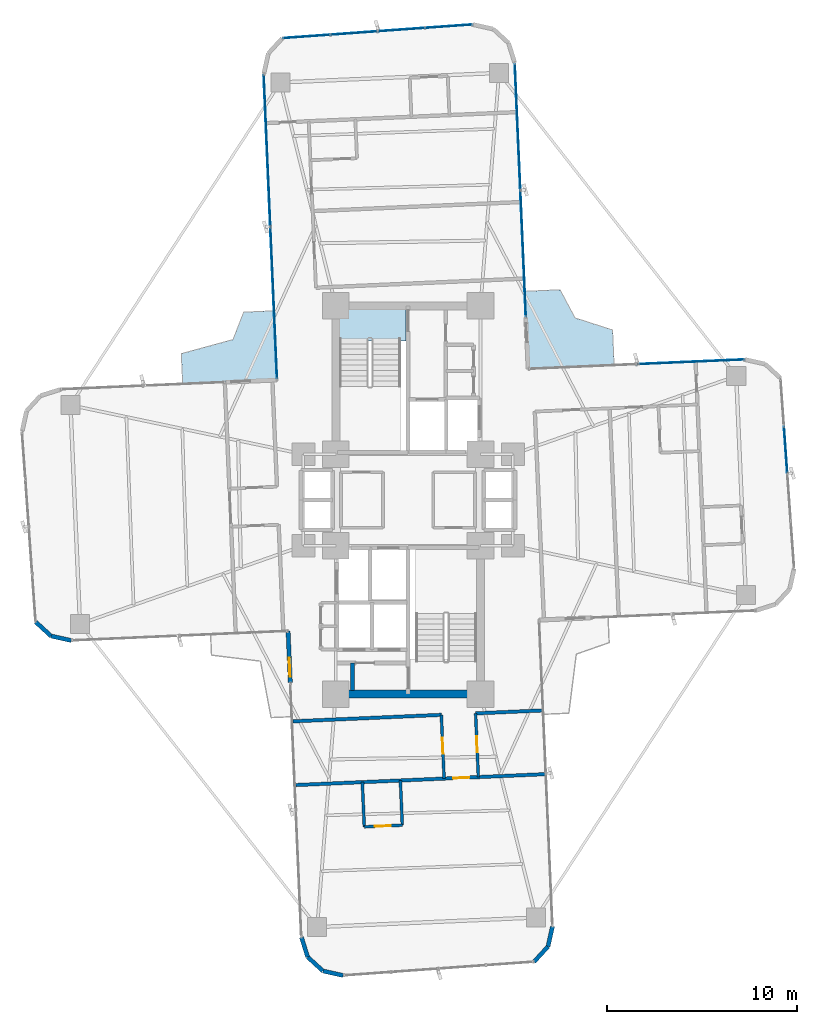
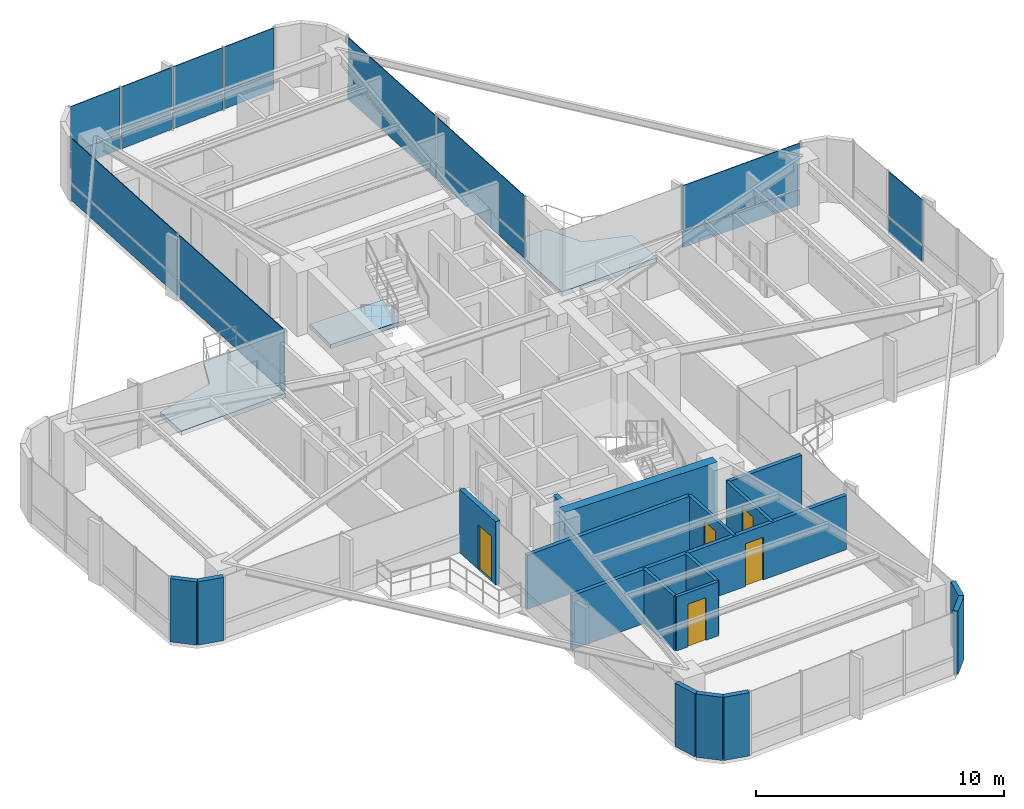
# One storey, part 22 of 26: 20 plates, 18 walls, 5 doors, 3 slabs, 5 openings, 5 elements without a shape of their own.
"""IFC4 building model written with IfcOpenShell, lengths in metres."""

from ifc_helpers import new_model, si_unit, direction, frame, frame_2d, origin, origin_2d, place, context, subcontext, project, spatial, polyline, rectangle, outline, extrude, source, transform, mapped, material, layer, layer_set, type_object, element, fill, aggregate, save


model = new_model("IFC4")

# Units and contexts
model_context = context("Model", 3, precision=1e-05, world=origin(), true_north=direction((0.0, 1.0)))
body_context = subcontext(model_context, "Body", "Model", "MODEL_VIEW")
ifc_project = project(units=[si_unit("LENGTHUNIT", "METRE"), si_unit("AREAUNIT", "SQUARE_METRE"), si_unit("VOLUMEUNIT", "CUBIC_METRE"), si_unit("PLANEANGLEUNIT", "RADIAN"), si_unit("MASSUNIT", "GRAM", prefix="KILO")], contexts=[model_context])

# Site, building, storey
site_placement = place(None, origin())
site = spatial("IfcSite", under=ifc_project, at=site_placement, CompositionType="ELEMENT")
building_placement = place(site_placement, origin())
building = spatial("IfcBuilding", under=site, at=building_placement, Name="Sahyath Konkavel Grand Hotel", CompositionType="ELEMENT")
storey_placement = place(building_placement, frame((0.0, 0.0, 93.550048828125)))
storey = spatial("IfcBuildingStorey", under=building, at=storey_placement, Name="L25", CompositionType="ELEMENT", Elevation=93.550048828125)

# Slabs
ifc_material_1 = material(Name="Concrete C40/50", Category="concrete")
ifc_layer_1 = layer(ifc_material_1, 0.219970703125)
ifc_layer_set_1 = layer_set([ifc_layer_1], Name="Concrete C40/50")
slab_type_1 = type_object("IfcSlabType", Name="SLB-BALCONY-220", PredefinedType="FLOOR", material=ifc_layer_set_1)
slab_1_placement = place(storey_placement, frame((0.0, 0.0, -0.219970703125)))
element("IfcSlab", 1, at=slab_1_placement, inside=storey, type_object=slab_type_1, Name="L25 Winter-Garden Balcony NE", PredefinedType="FLOOR", context=body_context, shape_type="SweptSolid", body=[
    extrude(outline(polyline([(6.305908203125, 6.881591796875), (10.8173828125, 7.07861328125), (10.73681640625, 8.929443359375), (8.76416015625, 9.564453125), (7.978515625, 11.04248046875), (6.127685546875, 10.961669921875), (6.305908203125, 6.881591796875)])), origin(), (0.0, 0.0, 1.0), 0.219970703125),
])
slab_2_placement = place(storey_placement, frame((0.0, 0.0, -0.219970703125)))
element("IfcSlab", 2, at=slab_2_placement, inside=storey, type_object=slab_type_1, Name="L25 Winter-Garden Balcony NW", PredefinedType="FLOOR", context=body_context, shape_type="SweptSolid", body=[
    extrude(outline(polyline([(-6.881591796875, 6.305908203125), (-7.0400390625, 9.936279296875), (-8.636962890625, 9.86669921875), (-9.1962890625, 8.427001953125), (-11.91259765625, 7.68603515625), (-11.843017578125, 6.089111328125), (-6.881591796875, 6.305908203125)])), origin(), (0.0, 0.0, 1.0), 0.219970703125),
])
ifc_layer_2 = layer(ifc_material_1, 0.199951171875)
ifc_layer_set_2 = layer_set([ifc_layer_2], Name="Concrete C40/50")
slab_type_2 = type_object("IfcSlabType", Name="SLB-STAIR-LND", PredefinedType="LANDING", material=ifc_layer_set_2)
slab_3_placement = place(storey_placement, frame((0.0, 0.0, -0.199951171875)))
element("IfcSlab", 3, at=slab_3_placement, inside=storey, type_object=slab_type_2, Name="L25 Stair ST-1 Floor Landing Slab", PredefinedType="LANDING", context=body_context, shape_type="SweptSolid", body=[
    extrude(outline(polyline([(-3.6201171875, 8.35009765625), (-0.10009765625, 8.35009765625), (-0.10009765625, 10.02001953125), (-3.6201171875, 10.02001953125), (-3.6201171875, 8.35009765625)])), origin(), (0.0, 0.0, 1.0), 0.199951171875),
])

# Curtain wall, plate
ifc_material_2 = material(Name="Anodised Bronze Aluminium & Low-E Glazing", Category="aluminium")
curtain_wall_type = type_object("IfcCurtainWallType", Name="CW-ZONE2", PredefinedType="NOTDEFINED", material=ifc_material_2)
curtain_wall_1_placement = place(storey_placement, origin())
curtain_wall_1 = element("IfcCurtainWall", 4, at=curtain_wall_1_placement, inside=storey, type_object=curtain_wall_type, Name="L25 Unitised Curtain Wall F4", PredefinedType="NOTDEFINED")
ifc_material_3 = material(Name="Warm Buff Sandstone Cladding", Category="masonry")
ifc_layer_3 = layer(ifc_material_3, 0.074951171875)
ifc_layer_set_3 = layer_set([ifc_layer_3], Name="Warm Buff Sandstone Cladding")
plate_type_1 = type_object("IfcPlateType", Name="PNL-SPANDREL-STONE", PredefinedType="SHEET", material=ifc_layer_set_3)
shared_shape_1 = source(origin(), body_context, "Body", "SweptSolid", [
    extrude(rectangle(XDim=2.41357421875, YDim=0.074951171875, at=origin_2d()), origin(), (0.0, 0.0, 1.0), 0.77001953125),
])
plate_1_placement = place(storey_placement, frame((19.828369140625, 2.638671875, 0.0400390625), z_axis=(0.0, 0.0, 1.0), x_axis=(-0.071567078661, 0.997435789037, 0.0)))
plate_1 = element("IfcPlate", 5, at=plate_1_placement, type_object=plate_type_1, Name="L25 Sandstone Relief Spandrel Panel F4-2", PredefinedType="SHEET", context=body_context, shape_type="MappedRepresentation", body=[
    mapped(shared_shape_1, transform((0.0, 0.0, 0.0), scale=1.0)),
])

# Curtain wall, plates
curtain_wall_2_placement = place(storey_placement, origin())
curtain_wall_2 = element("IfcCurtainWall", 6, at=curtain_wall_2_placement, inside=storey, type_object=curtain_wall_type, Name="L25 Unitised Curtain Wall F12", PredefinedType="NOTDEFINED")
plate_2_placement = place(storey_placement, frame((2.130615234375, 24.880615234375, 0.0400390625), z_axis=(0.0, 0.0, 1.0), x_axis=(-0.997435789037, -0.071567078661, 0.0)))
plate_2 = element("IfcPlate", 7, at=plate_2_placement, type_object=plate_type_1, Name="L25 Sandstone Relief Spandrel Panel F12-0", PredefinedType="SHEET", context=body_context, shape_type="MappedRepresentation", body=[
    mapped(shared_shape_1, transform((0.0, 0.0, 0.0), scale=1.0)),
])
plate_3_placement = place(storey_placement, frame((-0.356689453125, 24.7021484375, 0.0400390625), z_axis=(0.0, 0.0, 1.0), x_axis=(-0.997435789037, -0.071567078661, 0.0)))
plate_3 = element("IfcPlate", 8, at=plate_3_placement, type_object=plate_type_1, Name="L25 Sandstone Relief Spandrel Panel F12-1", PredefinedType="SHEET", context=body_context, shape_type="MappedRepresentation", body=[
    mapped(shared_shape_1, transform((0.0, 0.0, 0.0), scale=1.0)),
])
plate_4_placement = place(storey_placement, frame((-2.84375, 24.523681640625, 0.0400390625), z_axis=(0.0, 0.0, 1.0), x_axis=(-0.997435789037, -0.071567078661, 0.0)))
plate_4 = element("IfcPlate", 9, at=plate_4_placement, type_object=plate_type_1, Name="L25 Sandstone Relief Spandrel Panel F12-2", PredefinedType="SHEET", context=body_context, shape_type="MappedRepresentation", body=[
    mapped(shared_shape_1, transform((0.0, 0.0, 0.0), scale=1.0)),
])
plate_5_placement = place(storey_placement, frame((-5.330810546875, 24.34521484375, 0.0400390625), z_axis=(0.0, 0.0, 1.0), x_axis=(-0.997435789037, -0.071567078661, 0.0)))
plate_5 = element("IfcPlate", 10, at=plate_5_placement, type_object=plate_type_1, Name="L25 Sandstone Relief Spandrel Panel F12-3", PredefinedType="SHEET", context=body_context, shape_type="MappedRepresentation", body=[
    mapped(shared_shape_1, transform((0.0, 0.0, 0.0), scale=1.0)),
])

# Curtain wall, plate
curtain_wall_3_placement = place(storey_placement, origin())
curtain_wall_3 = element("IfcCurtainWall", 11, at=curtain_wall_3_placement, inside=storey, type_object=curtain_wall_type, Name="L25 Unitised Curtain Wall F7", PredefinedType="NOTDEFINED")
shared_shape_2 = source(origin(), body_context, "Body", "SweptSolid", [
    extrude(rectangle(XDim=5.580078125, YDim=0.074951171875, at=origin_2d()), origin(), (0.0, 0.0, 1.0), 0.77001953125),
])
plate_6_placement = place(storey_placement, frame((14.82763671875, 7.25390625, 0.0400390625), z_axis=(0.0, 0.0, 1.0), x_axis=(-0.999048221582, -0.043619387365, 0.0)))
plate_6 = element("IfcPlate", 12, at=plate_6_placement, type_object=plate_type_1, Name="L25 Sandstone Relief Spandrel Panel F7-0", PredefinedType="SHEET", context=body_context, shape_type="MappedRepresentation", body=[
    mapped(shared_shape_2, transform((0.0, 0.0, 0.0), scale=1.0)),
])

# Curtain wall, plates
curtain_wall_4_placement = place(storey_placement, origin())
curtain_wall_4 = element("IfcCurtainWall", 13, at=curtain_wall_4_placement, inside=storey, type_object=curtain_wall_type, Name="L25 Unitised Curtain Wall F8", PredefinedType="NOTDEFINED")
shared_shape_3 = source(origin(), body_context, "Body", "SweptSolid", [
    extrude(rectangle(XDim=6.580078125, YDim=0.074951171875, at=origin_2d()), origin(), (0.0, 0.0, 1.0), 0.77001953125),
])
plate_7_placement = place(storey_placement, frame((6.041015625, 12.94580078125, 0.0400390625), z_axis=(0.0, 0.0, 1.0), x_axis=(-0.043619387365, 0.999048221582, 0.0)))
plate_7 = element("IfcPlate", 14, at=plate_7_placement, type_object=plate_type_1, Name="L25 Sandstone Relief Spandrel Panel F8-0", PredefinedType="SHEET", context=body_context, shape_type="MappedRepresentation", body=[
    mapped(shared_shape_3, transform((0.0, 0.0, 0.0), scale=1.0)),
])
plate_8_placement = place(storey_placement, frame((5.75048828125, 19.599609375, 0.0400390625), z_axis=(0.0, 0.0, 1.0), x_axis=(-0.043619387365, 0.999048221582, 0.0)))
plate_8 = element("IfcPlate", 15, at=plate_8_placement, type_object=plate_type_1, Name="L25 Sandstone Relief Spandrel Panel F8-1", PredefinedType="SHEET", context=body_context, shape_type="MappedRepresentation", body=[
    mapped(shared_shape_3, transform((0.0, 0.0, 0.0), scale=1.0)),
])

curtain_wall_5_placement = place(storey_placement, origin())
curtain_wall_5 = element("IfcCurtainWall", 16, at=curtain_wall_5_placement, inside=storey, type_object=curtain_wall_type, Name="L25 Unitised Curtain Wall F15", PredefinedType="NOTDEFINED")
shared_shape_4 = source(origin(), body_context, "Body", "SweptSolid", [
    extrude(rectangle(XDim=7.929931640625, YDim=0.074951171875, at=origin_2d()), origin(), (0.0, 0.0, 1.0), 0.77001953125),
])
plate_9_placement = place(storey_placement, frame((-7.407470703125, 18.349365234375, 0.0400390625), z_axis=(0.0, 0.0, 1.0), x_axis=(0.043619387365, -0.999048221582, 0.0)))
plate_9 = element("IfcPlate", 17, at=plate_9_placement, type_object=plate_type_1, Name="L25 Sandstone Relief Spandrel Panel F15-0", PredefinedType="SHEET", context=body_context, shape_type="MappedRepresentation", body=[
    mapped(shared_shape_4, transform((0.0, 0.0, 0.0), scale=1.0)),
])
plate_10_placement = place(storey_placement, frame((-7.05810546875, 10.346923828125, 0.0400390625), z_axis=(0.0, 0.0, 1.0), x_axis=(0.043619387365, -0.999048221582, 0.0)))
plate_10 = element("IfcPlate", 18, at=plate_10_placement, type_object=plate_type_1, Name="L25 Sandstone Relief Spandrel Panel F15-1", PredefinedType="SHEET", context=body_context, shape_type="MappedRepresentation", body=[
    mapped(shared_shape_4, transform((0.0, 0.0, 0.0), scale=1.0)),
])

# Plate
ifc_material_4 = material(Name="Low-E Solar Control Double Glazing", Category="glass")
ifc_layer_4 = layer(ifc_material_4, 0.035888671875)
ifc_layer_set_4 = layer_set([ifc_layer_4], Name="Low-E Solar Control Double Glazing")
plate_type_2 = type_object("IfcPlateType", Name="PNL-VISION-LOWE", PredefinedType="CURTAIN_PANEL", material=ifc_layer_set_4)
shared_shape_5 = source(origin(), body_context, "Body", "SweptSolid", [
    extrude(rectangle(XDim=2.41357421875, YDim=0.035888671875, at=origin_2d()), origin(), (0.0, 0.0, 1.0), 2.179931640625),
])
plate_11_placement = place(storey_placement, frame((19.828369140625, 2.638671875, 0.89013671875), z_axis=(0.0, 0.0, 1.0), x_axis=(-0.071567078661, 0.997435789037, 0.0)))
plate_11 = element("IfcPlate", 19, at=plate_11_placement, type_object=plate_type_2, Name="L25 Low-E Vision Glazing Panel F4-2", PredefinedType="CURTAIN_PANEL", context=body_context, shape_type="MappedRepresentation", body=[
    mapped(shared_shape_5, transform((0.0, 0.0, 0.0), scale=1.0)),
])

aggregate(curtain_wall_1, [plate_1, plate_11])

plate_12_placement = place(storey_placement, frame((2.130615234375, 24.880615234375, 0.89013671875), z_axis=(0.0, 0.0, 1.0), x_axis=(-0.997435789037, -0.071567078661, 0.0)))
plate_12 = element("IfcPlate", 20, at=plate_12_placement, type_object=plate_type_2, Name="L25 Low-E Vision Glazing Panel F12-0", PredefinedType="CURTAIN_PANEL", context=body_context, shape_type="MappedRepresentation", body=[
    mapped(shared_shape_5, transform((0.0, 0.0, 0.0), scale=1.0)),
])

plate_13_placement = place(storey_placement, frame((-0.356689453125, 24.7021484375, 0.89013671875), z_axis=(0.0, 0.0, 1.0), x_axis=(-0.997435789037, -0.071567078661, 0.0)))
plate_13 = element("IfcPlate", 21, at=plate_13_placement, type_object=plate_type_2, Name="L25 Low-E Vision Glazing Panel F12-1", PredefinedType="CURTAIN_PANEL", context=body_context, shape_type="MappedRepresentation", body=[
    mapped(shared_shape_5, transform((0.0, 0.0, 0.0), scale=1.0)),
])

plate_14_placement = place(storey_placement, frame((-2.84375, 24.523681640625, 0.89013671875), z_axis=(0.0, 0.0, 1.0), x_axis=(-0.997435789037, -0.071567078661, 0.0)))
plate_14 = element("IfcPlate", 22, at=plate_14_placement, type_object=plate_type_2, Name="L25 Low-E Vision Glazing Panel F12-2", PredefinedType="CURTAIN_PANEL", context=body_context, shape_type="MappedRepresentation", body=[
    mapped(shared_shape_5, transform((0.0, 0.0, 0.0), scale=1.0)),
])

plate_15_placement = place(storey_placement, frame((-5.330810546875, 24.34521484375, 0.89013671875), z_axis=(0.0, 0.0, 1.0), x_axis=(-0.997435789037, -0.071567078661, 0.0)))
plate_15 = element("IfcPlate", 23, at=plate_15_placement, type_object=plate_type_2, Name="L25 Low-E Vision Glazing Panel F12-3", PredefinedType="CURTAIN_PANEL", context=body_context, shape_type="MappedRepresentation", body=[
    mapped(shared_shape_5, transform((0.0, 0.0, 0.0), scale=1.0)),
])

aggregate(curtain_wall_2, [plate_2, plate_12, plate_3, plate_13, plate_4, plate_14, plate_5, plate_15])

shared_shape_6 = source(origin(), body_context, "Body", "SweptSolid", [
    extrude(rectangle(XDim=5.580078125, YDim=0.035888671875, at=origin_2d()), origin(), (0.0, 0.0, 1.0), 2.179931640625),
])
plate_16_placement = place(storey_placement, frame((14.82763671875, 7.25390625, 0.89013671875), z_axis=(0.0, 0.0, 1.0), x_axis=(-0.999048221582, -0.043619387365, 0.0)))
plate_16 = element("IfcPlate", 24, at=plate_16_placement, type_object=plate_type_2, Name="L25 Low-E Vision Glazing Panel F7-0", PredefinedType="CURTAIN_PANEL", context=body_context, shape_type="MappedRepresentation", body=[
    mapped(shared_shape_6, transform((0.0, 0.0, 0.0), scale=1.0)),
])

aggregate(curtain_wall_3, [plate_6, plate_16])

shared_shape_7 = source(origin(), body_context, "Body", "SweptSolid", [
    extrude(rectangle(XDim=6.580078125, YDim=0.035888671875, at=origin_2d()), origin(), (0.0, 0.0, 1.0), 2.179931640625),
])
plate_17_placement = place(storey_placement, frame((6.041015625, 12.94580078125, 0.89013671875), z_axis=(0.0, 0.0, 1.0), x_axis=(-0.043619387365, 0.999048221582, 0.0)))
plate_17 = element("IfcPlate", 25, at=plate_17_placement, type_object=plate_type_2, Name="L25 Low-E Vision Glazing Panel F8-0", PredefinedType="CURTAIN_PANEL", context=body_context, shape_type="MappedRepresentation", body=[
    mapped(shared_shape_7, transform((0.0, 0.0, 0.0), scale=1.0)),
])

plate_18_placement = place(storey_placement, frame((5.75048828125, 19.599609375, 0.89013671875), z_axis=(0.0, 0.0, 1.0), x_axis=(-0.043619387365, 0.999048221582, 0.0)))
plate_18 = element("IfcPlate", 26, at=plate_18_placement, type_object=plate_type_2, Name="L25 Low-E Vision Glazing Panel F8-1", PredefinedType="CURTAIN_PANEL", context=body_context, shape_type="MappedRepresentation", body=[
    mapped(shared_shape_7, transform((0.0, 0.0, 0.0), scale=1.0)),
])

aggregate(curtain_wall_4, [plate_7, plate_17, plate_8, plate_18])

shared_shape_8 = source(origin(), body_context, "Body", "SweptSolid", [
    extrude(rectangle(XDim=7.929931640625, YDim=0.035888671875, at=origin_2d()), origin(), (0.0, 0.0, 1.0), 2.179931640625),
])
plate_19_placement = place(storey_placement, frame((-7.407470703125, 18.349365234375, 0.89013671875), z_axis=(0.0, 0.0, 1.0), x_axis=(0.043619387365, -0.999048221582, 0.0)))
plate_19 = element("IfcPlate", 27, at=plate_19_placement, type_object=plate_type_2, Name="L25 Low-E Vision Glazing Panel F15-0", PredefinedType="CURTAIN_PANEL", context=body_context, shape_type="MappedRepresentation", body=[
    mapped(shared_shape_8, transform((0.0, 0.0, 0.0), scale=1.0)),
])

plate_20_placement = place(storey_placement, frame((-7.05810546875, 10.346923828125, 0.89013671875), z_axis=(0.0, 0.0, 1.0), x_axis=(0.043619387365, -0.999048221582, 0.0)))
plate_20 = element("IfcPlate", 28, at=plate_20_placement, type_object=plate_type_2, Name="L25 Low-E Vision Glazing Panel F15-1", PredefinedType="CURTAIN_PANEL", context=body_context, shape_type="MappedRepresentation", body=[
    mapped(shared_shape_8, transform((0.0, 0.0, 0.0), scale=1.0)),
])

aggregate(curtain_wall_5, [plate_9, plate_19, plate_10, plate_20])

# Walls
ifc_material_5 = material(Name="Concrete C50/60", Category="concrete")
ifc_layer_5 = layer(ifc_material_5, 0.419921875)
ifc_layer_set_5 = layer_set([ifc_layer_5], Name="Concrete C50/60")
wall_type_1 = type_object("IfcWallType", Name="CWALL-420", PredefinedType="SHEAR", material=ifc_layer_set_5)
wall_1_placement = place(storey_placement, frame((-3.550048828125, -10.199951171875, 0.0), z_axis=(0.0, 0.0, 1.0), x_axis=(1.0, 0.0, 0.0)))
element("IfcWall", 29, at=wall_1_placement, inside=storey, type_object=wall_type_1, Name="L25 South Core Shear Wall S", PredefinedType="SHEAR", context=body_context, shape_type="SweptSolid", body=[
    extrude(rectangle(XDim=7.10009765625, YDim=0.419921875, at=frame_2d((3.550048828125, 0.0))), origin(), (0.0, 0.0, 1.0), 3.10986328125),
])
ifc_material_6 = material(Name="Warm Buff Sandstone Insulated Concrete C40/50", Category="masonry")
ifc_layer_6 = layer(ifc_material_6, 0.219970703125)
ifc_layer_set_6 = layer_set([ifc_layer_6], Name="Warm Buff Sandstone Insulated Concrete C40/50")
wall_type_2 = type_object("IfcWallType", Name="WLL-BALC-THRESH", PredefinedType="STANDARD", material=ifc_layer_set_6)
wall_2_placement = place(storey_placement, frame((-19.5576171875, -6.4091796875, 0.0), z_axis=(0.0, 0.0, 1.0), x_axis=(0.737210081318, -0.675663596772, 0.0)))
element("IfcWall", 30, at=wall_2_placement, inside=storey, type_object=wall_type_2, Name="L25 Rounded Corner Sandstone Pier 21", PredefinedType="STANDARD", context=body_context, shape_type="SweptSolid", body=[
    extrude(rectangle(XDim=1.0869140625, YDim=0.219970703125, at=frame_2d((0.54345703125, 0.0))), origin(), (0.0, 0.0, 1.0), 3.10986328125),
])
wall_3_placement = place(storey_placement, frame((-18.75634765625, -7.1435546875, 0.0), z_axis=(0.0, 0.0, 1.0), x_axis=(0.976282085775, -0.216502399514, 0.0)))
element("IfcWall", 31, at=wall_3_placement, inside=storey, type_object=wall_type_2, Name="L25 Rounded Corner Sandstone Pier 22", PredefinedType="STANDARD", context=body_context, shape_type="SweptSolid", body=[
    extrude(rectangle(XDim=1.087158203125, YDim=0.219970703125, at=frame_2d((0.54345703125, 0.0))), origin(), (0.0, 0.0, 1.0), 3.10986328125),
])

# Wall, opening, door
wall_4_placement = place(storey_placement, frame((-6.305908203125, -6.881591796875, 0.0), z_axis=(0.0, 0.0, 1.0), x_axis=(0.043672655174, -0.999045894436, 0.0)))
wall_4 = element("IfcWall", 32, at=wall_4_placement, inside=storey, type_object=wall_type_2, Name="L25 Winter-Garden Threshold Wall 24", PredefinedType="STANDARD", context=body_context, shape_type="SweptSolid", body=[
    extrude(rectangle(XDim=2.7001953125, YDim=0.219970703125, at=frame_2d((1.35009765625, 0.0))), origin(), (0.0, 0.0, 1.0), 3.10986328125),
])
opening_1_placement = place(wall_4_placement, frame((1.39990234375, 0.0, 0.0)))
opening_1 = element("IfcOpeningElement", 33, at=opening_1_placement, cuts=wall_4, Name="Opening D-TR1", PredefinedType="OPENING", context=body_context, shape_type="SweptSolid", body=[
    extrude(rectangle(XDim=1.0, YDim=2.199951171875, at=frame_2d((0.5, 1.10009765625))), frame((0.0, 0.1201171875, 0.0), z_axis=(0.0, -1.0, 0.0), x_axis=(1.0, 0.0, 0.0)), (0.0, 0.0, 1.0), 0.239990234375),
])
door_type_1 = type_object("IfcDoorType", Name="DR-TERRACE-1000", OperationType="NOTDEFINED", PredefinedType="DOOR", material=ifc_material_2)
shared_shape_9 = source(origin(), body_context, "Body", "SweptSolid", [
    extrude(rectangle(XDim=1.0, YDim=0.050048828125, at=origin_2d()), origin(), (0.0, 0.0, 1.0), 2.199951171875),
])
door_1_placement = place(opening_1_placement, frame((0.5, 0.0, 0.0)))
door_1 = element("IfcDoor", 34, at=door_1_placement, inside=storey, type_object=door_type_1, Name="L25 Winter-Garden Terrace Door 24", OperationType="SINGLE_SWING_LEFT", OverallHeight=2.199951171875, OverallWidth=1.0, PredefinedType="DOOR", context=body_context, shape_type="MappedRepresentation", body=[
    mapped(shared_shape_9, transform((0.0, 0.0, 0.0), scale=1.0)),
])
fill(opening_1, door_1)

# Walls
wall_5_placement = place(storey_placement, frame((-5.603515625, -22.96630859375, 0.0), z_axis=(0.0, 0.0, 1.0), x_axis=(0.300755105707, -0.953701403161, 0.0)))
element("IfcWall", 35, at=wall_5_placement, inside=storey, type_object=wall_type_2, Name="L25 Rounded Corner Sandstone Pier 25", PredefinedType="STANDARD", context=body_context, shape_type="SweptSolid", body=[
    extrude(rectangle(XDim=1.0869140625, YDim=0.219970703125, at=frame_2d((0.54345703125, 0.0))), origin(), (0.0, 0.0, 1.0), 3.10986328125),
])
wall_6_placement = place(storey_placement, frame((-5.276611328125, -24.0029296875, 0.0), z_axis=(0.0, 0.0, 1.0), x_axis=(0.737312600672, -0.675551721847, 0.0)))
element("IfcWall", 36, at=wall_6_placement, inside=storey, type_object=wall_type_2, Name="L25 Rounded Corner Sandstone Pier 26", PredefinedType="STANDARD", context=body_context, shape_type="SweptSolid", body=[
    extrude(rectangle(XDim=1.087158203125, YDim=0.219970703125, at=frame_2d((0.54345703125, 0.0))), origin(), (0.0, 0.0, 1.0), 3.10986328125),
])
for number, where, z_axis, x_axis, name in (
    (37, (-4.47509765625, -24.7373046875, 0.0), (0.0, 0.0, 1.0), (0.976271555154, -0.216549880158, 0.0), "L25 Rounded Corner Sandstone Pier 27"),
    (38, (6.6142578125, -24.253173828125, 0.0), (0.0, 0.0, 1.0), (0.675663596772, 0.737210081318, 0.0), "L25 Rounded Corner Sandstone Pier 29"),
):
    element("IfcWall", number, at=place(storey_placement, frame(where, z_axis=z_axis, x_axis=x_axis)), inside=storey, type_object=wall_type_2, Name=name, PredefinedType="STANDARD", context=body_context, shape_type="SweptSolid", body=[
        extrude(rectangle(XDim=1.0869140625, YDim=0.219970703125, at=frame_2d((0.54345703125, 0.0))), origin(), (0.0, 0.0, 1.0), 3.10986328125),
    ])
wall_7_placement = place(storey_placement, frame((7.3486328125, -23.451904296875, 0.0), z_axis=(0.0, 0.0, 1.0), x_axis=(0.216454939174, 0.976292609471, 0.0)))
element("IfcWall", 39, at=wall_7_placement, inside=storey, type_object=wall_type_2, Name="L25 Rounded Corner Sandstone Pier 30", PredefinedType="STANDARD", context=body_context, shape_type="SweptSolid", body=[
    extrude(rectangle(XDim=1.08740234375, YDim=0.219970703125, at=frame_2d((0.543701171875, 0.0))), origin(), (0.0, 0.0, 1.0), 3.10986328125),
])
ifc_layer_7 = layer(ifc_material_1, 0.199951171875)
ifc_layer_set_7 = layer_set([ifc_layer_7], Name="Concrete C40/50")
wall_type_3 = type_object("IfcWallType", Name="WLL-CORE-200", PredefinedType="SOLIDWALL", material=ifc_layer_set_7)
wall_8_placement = place(storey_placement, frame((-2.919921875, -10.0, 0.0), z_axis=(0.0, 0.0, 1.0), x_axis=(0.0, 1.0, 0.0)))
element("IfcWall", 40, at=wall_8_placement, inside=storey, type_object=wall_type_3, Name="L25 Partition SFF-W2", PredefinedType="SOLIDWALL", context=body_context, shape_type="SweptSolid", body=[
    extrude(rectangle(XDim=1.43994140625, YDim=0.199951171875, at=frame_2d((0.719970703125, 0.0))), origin(), (0.0, 0.0, 1.0), 2.659912109375),
])
ifc_material_7 = material(Name="Twin-Stud Acoustic Gypsum Plasterboard Partition")
ifc_layer_8 = layer(ifc_material_7, 0.179931640625)
ifc_layer_set_8 = layer_set([ifc_layer_8], Name="Twin-Stud Acoustic Gypsum Plasterboard Partition")
wall_type_4 = type_object("IfcWallType", Name="WLL-DEMISE-180", PredefinedType="PARTITIONING", material=ifc_layer_set_8)
wall_9_placement = place(storey_placement, frame((3.542236328125, -11.206298828125, 0.0), z_axis=(0.0, 0.0, 1.0), x_axis=(0.999046129111, 0.04366728647, 0.0)))
element("IfcWall", 41, at=wall_9_placement, inside=storey, type_object=wall_type_4, Name="L25 Partition S-INL", PredefinedType="PARTITIONING", context=body_context, shape_type="SweptSolid", body=[
    extrude(rectangle(XDim=3.5, YDim=0.179931640625, at=frame_2d((1.75, 0.0))), origin(), (0.0, 0.0, 1.0), 2.659912109375),
])
wall_10_placement = place(storey_placement, frame((-6.048583984375, -11.625, 0.0), z_axis=(0.0, 0.0, 1.0), x_axis=(0.999047634936, 0.043632821702, 0.0)))
element("IfcWall", 42, at=wall_10_placement, inside=storey, type_object=wall_type_4, Name="L25 Partition S-INR", PredefinedType="PARTITIONING", context=body_context, shape_type="SweptSolid", body=[
    extrude(rectangle(XDim=7.7998046875, YDim=0.179931640625, at=frame_2d((3.89990234375, 0.0))), origin(), (0.0, 0.0, 1.0), 2.659912109375),
])

# Wall, opening, door
wall_11_placement = place(storey_placement, frame((-5.902587890625, -14.9716796875, 0.0), z_axis=(0.0, 0.0, 1.0), x_axis=(0.999048653727, 0.043609488494, 0.0)))
wall_11 = element("IfcWall", 43, at=wall_11_placement, inside=storey, type_object=wall_type_4, Name="L25 Partition S-STIP-END", PredefinedType="PARTITIONING", context=body_context, shape_type="SweptSolid", body=[
    extrude(rectangle(XDim=13.10009765625, YDim=0.179931640625, at=frame_2d((6.550048828125, 0.0))), origin(), (0.0, 0.0, 1.0), 2.659912109375),
])
opening_2_placement = place(wall_11_placement, frame((8.27490234375, 0.0, 0.0)))
opening_2 = element("IfcOpeningElement", 44, at=opening_2_placement, cuts=wall_11, Name="Opening D-F06D", PredefinedType="OPENING", context=body_context, shape_type="SweptSolid", body=[
    extrude(rectangle(XDim=0.85009765625, YDim=2.10009765625, at=frame_2d((0.425048828125, 1.050048828125))), frame((0.0, 0.10009765625, 0.0), z_axis=(0.0, -1.0, 0.0), x_axis=(1.0, 0.0, 0.0)), (0.0, 0.0, 1.0), 0.199951171875),
])
ifc_material_8 = material(Name="Fire-Rated Shaft Access Door")
door_type_2 = type_object("IfcDoorType", Name="DR-FD60-850", OperationType="NOTDEFINED", PredefinedType="DOOR", material=ifc_material_8)
shared_shape_10 = source(origin(), body_context, "Body", "SweptSolid", [
    extrude(rectangle(XDim=0.85009765625, YDim=0.050048828125, at=origin_2d()), origin(), (0.0, 0.0, 1.0), 2.10009765625),
])
door_2_placement = place(opening_2_placement, frame((0.425048828125, 0.0, 0.0)))
door_2 = element("IfcDoor", 45, at=door_2_placement, inside=storey, type_object=door_type_2, Name="L25 Door S-STIP-ED", OperationType="SINGLE_SWING_LEFT", OverallHeight=2.10009765625, OverallWidth=0.85009765625, PredefinedType="DOOR", context=body_context, shape_type="MappedRepresentation", body=[
    mapped(shared_shape_10, transform((0.0, 0.0, 0.0), scale=1.0)),
])
fill(opening_2, door_2)

ifc_material_9 = material(Name="Fire-Rated Gypsum Plasterboard Partition")
ifc_layer_9 = layer(ifc_material_9, 0.14990234375)
ifc_layer_set_9 = layer_set([ifc_layer_9], Name="Fire-Rated Gypsum Plasterboard Partition")
wall_type_5 = type_object("IfcWallType", Name="WLL-PART-150", PredefinedType="PARTITIONING", material=ifc_layer_set_9)
wall_12_placement = place(storey_placement, frame((3.542236328125, -11.206298828125, 0.0), z_axis=(0.0, 0.0, 1.0), x_axis=(0.043582710367, -0.99904982226, 0.0)))
wall_12 = element("IfcWall", 46, at=wall_12_placement, inside=storey, type_object=wall_type_5, Name="L25 Partition S-CL", PredefinedType="PARTITIONING", context=body_context, shape_type="SweptSolid", body=[
    extrude(rectangle(XDim=3.349853515625, YDim=0.14990234375, at=frame_2d((1.6748046875, 0.0))), origin(), (0.0, 0.0, 1.0), 2.659912109375),
])
opening_3_placement = place(wall_12_placement, frame((1.199951171875, 0.0, 0.0)))
opening_3 = element("IfcOpeningElement", 47, at=opening_3_placement, cuts=wall_12, Name="Opening D-F06D", PredefinedType="OPENING", context=body_context, shape_type="SweptSolid", body=[
    extrude(rectangle(XDim=0.85009765625, YDim=2.10009765625, at=frame_2d((0.425048828125, 1.050048828125))), frame((0.0, 0.0849609375, 0.0), z_axis=(0.0, -1.0, 0.0), x_axis=(1.0, 0.0, 0.0)), (0.0, 0.0, 1.0), 0.169921875),
])
door_3_placement = place(opening_3_placement, frame((0.425048828125, 0.0, 0.0)))
door_3 = element("IfcDoor", 48, at=door_3_placement, inside=storey, type_object=door_type_2, Name="L25 Door S-SS3L-D", OperationType="SINGLE_SWING_RIGHT", OverallHeight=2.10009765625, OverallWidth=0.85009765625, PredefinedType="DOOR", context=body_context, shape_type="MappedRepresentation", body=[
    mapped(shared_shape_10, transform((0.0, 0.0, 0.0), scale=1.0)),
])
fill(opening_3, door_3)

wall_13_placement = place(storey_placement, frame((1.743896484375, -11.28466796875, 0.0), z_axis=(0.0, 0.0, 1.0), x_axis=(0.043579537274, -0.999049960678, 0.0)))
wall_13 = element("IfcWall", 49, at=wall_13_placement, inside=storey, type_object=wall_type_5, Name="L25 Partition S-CR", PredefinedType="PARTITIONING", context=body_context, shape_type="SweptSolid", body=[
    extrude(rectangle(XDim=3.35009765625, YDim=0.14990234375, at=frame_2d((1.675048828125, 0.0))), origin(), (0.0, 0.0, 1.0), 2.659912109375),
])
opening_4_placement = place(wall_13_placement, frame((1.199951171875, 0.0, 0.0)))
opening_4 = element("IfcOpeningElement", 50, at=opening_4_placement, cuts=wall_13, Name="Opening D-F06D", PredefinedType="OPENING", context=body_context, shape_type="SweptSolid", body=[
    extrude(rectangle(XDim=0.85009765625, YDim=2.10009765625, at=frame_2d((0.425048828125, 1.050048828125))), frame((0.0, 0.0849609375, 0.0), z_axis=(0.0, -1.0, 0.0), x_axis=(1.0, 0.0, 0.0)), (0.0, 0.0, 1.0), 0.169921875),
])
door_4_placement = place(opening_4_placement, frame((0.425048828125, 0.0, 0.0)))
door_4 = element("IfcDoor", 51, at=door_4_placement, inside=storey, type_object=door_type_2, Name="L25 Door S-SS3R-D", OperationType="SINGLE_SWING_LEFT", OverallHeight=2.10009765625, OverallWidth=0.85009765625, PredefinedType="DOOR", context=body_context, shape_type="MappedRepresentation", body=[
    mapped(shared_shape_10, transform((0.0, 0.0, 0.0), scale=1.0)),
])
fill(opening_4, door_4)

# Walls
wall_14_placement = place(storey_placement, frame((-0.40771484375, -14.731689453125, 0.0), z_axis=(0.0, 0.0, 1.0), x_axis=(0.043527387554, -0.999052234136, 0.0)))
element("IfcWall", 52, at=wall_14_placement, inside=storey, type_object=wall_type_5, Name="L25 Partition S-STIP-BN", PredefinedType="PARTITIONING", context=body_context, shape_type="SweptSolid", body=[
    extrude(rectangle(XDim=2.35009765625, YDim=0.14990234375, at=frame_2d((1.175048828125, 0.0))), origin(), (0.0, 0.0, 1.0), 2.659912109375),
])
wall_15_placement = place(storey_placement, frame((-2.406005859375, -14.819091796875, 0.0), z_axis=(0.0, 0.0, 1.0), x_axis=(0.04363560271, -0.999047513473, 0.0)))
element("IfcWall", 53, at=wall_15_placement, inside=storey, type_object=wall_type_5, Name="L25 Partition S-STIP-BS", PredefinedType="PARTITIONING", context=body_context, shape_type="SweptSolid", body=[
    extrude(rectangle(XDim=2.349853515625, YDim=0.14990234375, at=frame_2d((1.1748046875, 0.0))), origin(), (0.0, 0.0, 1.0), 2.659912109375),
])

# Wall, opening, door
wall_16_placement = place(storey_placement, frame((-2.303466796875, -17.166748046875, 0.0), z_axis=(0.0, 0.0, 1.0), x_axis=(0.999049929275, 0.043580257179, 0.0)))
wall_16 = element("IfcWall", 54, at=wall_16_placement, inside=storey, type_object=wall_type_5, Name="L25 Partition S-STIP-BE", PredefinedType="PARTITIONING", context=body_context, shape_type="SweptSolid", body=[
    extrude(rectangle(XDim=2.0, YDim=0.14990234375, at=frame_2d((1.0, 0.0))), origin(), (0.0, 0.0, 1.0), 2.659912109375),
])
opening_5_placement = place(wall_16_placement, frame((0.550048828125, 0.0, 0.0)))
opening_5 = element("IfcOpeningElement", 55, at=opening_5_placement, cuts=wall_16, Name="Opening D-BT85", PredefinedType="OPENING", context=body_context, shape_type="SweptSolid", body=[
    extrude(rectangle(XDim=0.85009765625, YDim=2.10009765625, at=frame_2d((0.425048828125, 1.050048828125))), frame((0.0, 0.0849609375, 0.0), z_axis=(0.0, -1.0, 0.0), x_axis=(1.0, 0.0, 0.0)), (0.0, 0.0, 1.0), 0.169921875),
])
ifc_material_10 = material(Name="Moisture-Resistant Teak Bathroom Door")
door_type_3 = type_object("IfcDoorType", Name="DR-BATH-850", OperationType="NOTDEFINED", PredefinedType="DOOR", material=ifc_material_10)
door_5_placement = place(opening_5_placement, frame((0.425048828125, 0.0, 0.0)))
door_5 = element("IfcDoor", 56, at=door_5_placement, inside=storey, type_object=door_type_3, Name="L25 Door S-STIP-BD", OperationType="SINGLE_SWING_RIGHT", OverallHeight=2.10009765625, OverallWidth=0.85009765625, PredefinedType="DOOR", context=body_context, shape_type="MappedRepresentation", body=[
    mapped(shared_shape_10, transform((0.0, 0.0, 0.0), scale=1.0)),
])
fill(opening_5, door_5)

save(model, "model.ifc")
